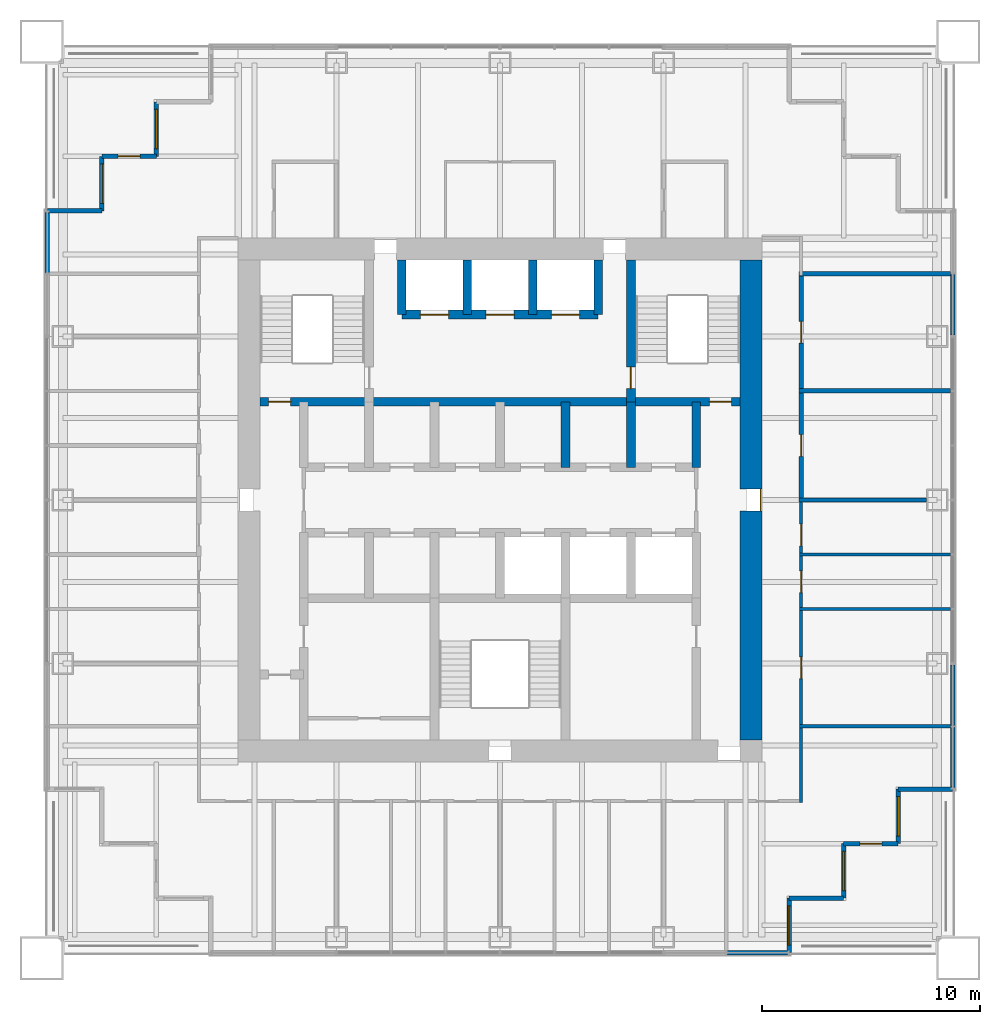
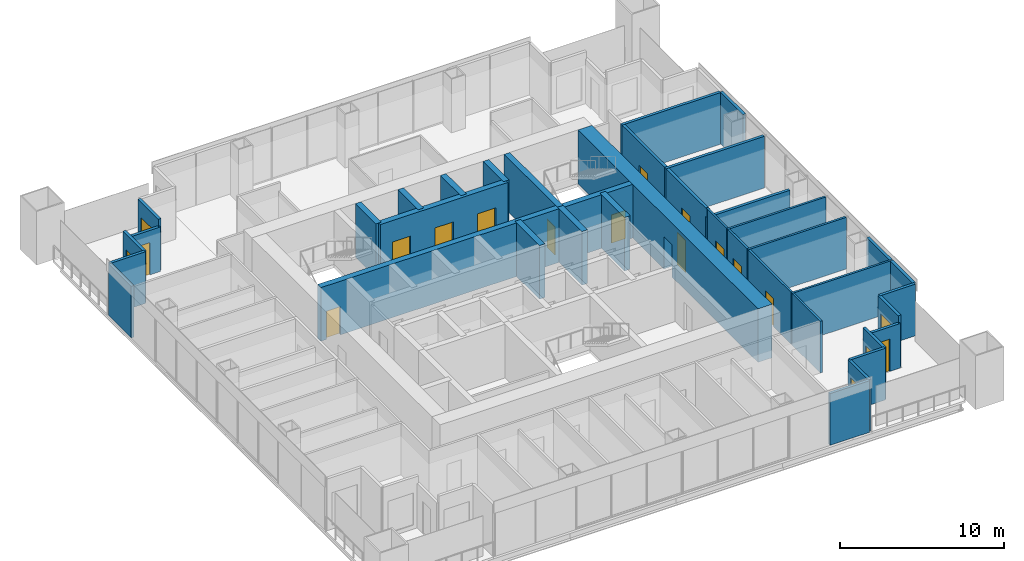
# One storey, part 11 of 14: 34 walls, 14 doors, 5 windows, 19 openings.
"""IFC4 building model written with IfcOpenShell, lengths in metres."""

from ifc_helpers import new_model, si_unit, direction, frame, frame_2d, origin, place, context, subcontext, project, spatial, rectangle, extrude, material, layer, layer_set, type_object, element, fill, save


model = new_model("IFC4")

# Units and contexts
model_context = context("Model", 3, precision=1e-05, world=origin(), true_north=direction((0.0, 1.0)))
body_context = subcontext(model_context, "Body", "Model", "MODEL_VIEW")
ifc_project = project(units=[si_unit("LENGTHUNIT", "METRE"), si_unit("AREAUNIT", "SQUARE_METRE"), si_unit("VOLUMEUNIT", "CUBIC_METRE"), si_unit("PLANEANGLEUNIT", "RADIAN"), si_unit("MASSUNIT", "GRAM", prefix="KILO")], contexts=[model_context])

# Site, building, storey
site_placement = place(None, origin())
site = spatial("IfcSite", under=ifc_project, at=site_placement, CompositionType="ELEMENT")
building_placement = place(site_placement, origin())
building = spatial("IfcBuilding", under=site, at=building_placement, Name="Tarangal Relay Tower", CompositionType="ELEMENT")
storey_placement = place(building_placement, frame((0.0, 0.0, 303.89990234375)))
storey = spatial("IfcBuildingStorey", under=building, at=storey_placement, Name="L67", CompositionType="ELEMENT", Elevation=303.89990234375)

# Walls
ifc_material_1 = material(Name="Two layers gypsum board each side on twin steel studs, mineral wool", Category="steel")
ifc_layer_1 = layer(ifc_material_1, 0.199951171875)
ifc_layer_set_1 = layer_set([ifc_layer_1], Name="Acoustic partition 200")
wall_type_1 = type_object("IfcWallType", Name="Acoustic partition 200", PredefinedType="PARTITIONING", material=ifc_layer_set_1)
wall_1_placement = place(storey_placement, frame((13.699951171875, 0.0, 0.0), z_axis=(0.0, 0.0, 1.0), x_axis=(1.0, 0.0, 0.0)))
element("IfcWall", 1, at=wall_1_placement, inside=storey, type_object=wall_type_1, Name="Partition PT2 L67", PredefinedType="PARTITIONING", context=body_context, shape_type="SweptSolid", body=[
    extrude(rectangle(XDim=5.840087890625, YDim=0.199951171875, at=frame_2d((2.919921875, 0.0))), origin(), (0.0, 0.0, 1.0), 3.2431640625),
])
for number, where, z_axis, x_axis, name in (
    (2, (13.699951171875, 5.0, 0.0), (0.0, 0.0, 1.0), (1.0, 0.0, 0.0), "Partition PT2 L67"),
    (3, (13.699951171875, 10.375, 0.0), (0.0, 0.0, 1.0), (1.0, 0.0, 0.0), "Partition PT2 L67"),
):
    element("IfcWall", number, at=place(storey_placement, frame(where, z_axis=z_axis, x_axis=x_axis)), inside=storey, type_object=wall_type_1, Name=name, PredefinedType="PARTITIONING", context=body_context, shape_type="SweptSolid", body=[
        extrude(rectangle(XDim=6.949951171875, YDim=0.199951171875, at=frame_2d((3.47509765625, 0.0))), origin(), (0.0, 0.0, 1.0), 3.85009765625),
    ])

# Wall, openings, doors
wall_2_placement = place(storey_placement, frame((13.800048828125, -0.10009765625, 0.0), z_axis=(0.0, 0.0, 1.0), x_axis=(0.0, 1.0, 0.0)))
wall_2 = element("IfcWall", 4, at=wall_2_placement, inside=storey, type_object=wall_type_1, Name="Partition PT2 L67", PredefinedType="PARTITIONING", context=body_context, shape_type="SweptSolid", body=[
    extrude(rectangle(XDim=10.5751953125, YDim=0.199951171875, at=frame_2d((5.28759765625, 0.0))), origin(), (0.0, 0.0, 1.0), 3.85009765625),
])
opening_1_placement = place(wall_2_placement, frame((7.28759765625, 0.0, 0.0)))
opening_1 = element("IfcOpeningElement", 5, at=opening_1_placement, cuts=wall_2, Name="Opening D2", PredefinedType="OPENING", context=body_context, shape_type="SweptSolid", body=[
    extrude(rectangle(XDim=1.0, YDim=2.10009765625, at=frame_2d((0.5, 1.050048828125))), frame((0.0, 0.10986328125, 0.0), z_axis=(0.0, -1.0, 0.0), x_axis=(1.0, 0.0, 0.0)), (0.0, 0.0, 1.0), 0.219970703125),
])
opening_2_placement = place(wall_2_placement, frame((2.10009765625, 0.0, 0.0)))
opening_2 = element("IfcOpeningElement", 6, at=opening_2_placement, cuts=wall_2, Name="Opening D2", PredefinedType="OPENING", context=body_context, shape_type="SweptSolid", body=[
    extrude(rectangle(XDim=1.0, YDim=2.10009765625, at=frame_2d((0.5, 1.050048828125))), frame((0.0, 0.10986328125, 0.0), z_axis=(0.0, -1.0, 0.0), x_axis=(1.0, 0.0, 0.0)), (0.0, 0.0, 1.0), 0.219970703125),
])
ifc_material_2 = material(Name="Hardwood door", Category="wood")
door_type_1 = type_object("IfcDoorType", Name="Door 1000 x 2100", OperationType="SINGLE_SWING_LEFT", PredefinedType="DOOR", material=ifc_material_2)
door_1_placement = place(opening_1_placement, origin())
door_1 = element("IfcDoor", 7, at=door_1_placement, inside=storey, type_object=door_type_1, Name="Door D2 to boardroom L67-05", OperationType="SINGLE_SWING_LEFT", OverallHeight=2.10009765625, OverallWidth=1.0, PredefinedType="DOOR", context=body_context, shape_type="SweptSolid", body=[
    extrude(rectangle(XDim=1.0, YDim=2.10009765625, at=frame_2d((0.5, 1.050048828125))), frame((0.0, 0.02490234375, 0.0), z_axis=(0.0, -1.0, 0.0), x_axis=(1.0, 0.0, 0.0)), (0.0, 0.0, 1.0), 0.050048828125),
])
fill(opening_1, door_1)
door_2_placement = place(opening_2_placement, origin())
door_2 = element("IfcDoor", 8, at=door_2_placement, inside=storey, type_object=door_type_1, Name="Door D2 to meeting room L67-06", OperationType="SINGLE_SWING_LEFT", OverallHeight=2.10009765625, OverallWidth=1.0, PredefinedType="DOOR", context=body_context, shape_type="SweptSolid", body=[
    extrude(rectangle(XDim=1.0, YDim=2.10009765625, at=frame_2d((0.5, 1.050048828125))), frame((0.0, 0.02490234375, 0.0), z_axis=(0.0, -1.0, 0.0), x_axis=(1.0, 0.0, 0.0)), (0.0, 0.0, 1.0), 0.050048828125),
])
fill(opening_2, door_2)

ifc_material_3 = material(Name="Concrete fc' 60 MPa", Category="concrete")
ifc_layer_2 = layer(ifc_material_3, 0.39990234375)
ifc_layer_set_2 = layer_set([ifc_layer_2], Name="Core inner wall 400")
wall_type_2 = type_object("IfcWallType", Name="Core inner wall 400", PredefinedType="SHEAR", material=ifc_layer_set_2)
wall_3_placement = place(storey_placement, frame((-11.0, 4.5, 0.0), z_axis=(0.0, 0.0, 1.0), x_axis=(1.0, 0.0, 0.0)))
wall_3 = element("IfcWall", 9, at=wall_3_placement, inside=storey, type_object=wall_type_2, Name="Core wall Y45 L67", PredefinedType="SHEAR", context=body_context, shape_type="SweptSolid", body=[
    extrude(rectangle(XDim=22.0, YDim=0.39990234375, at=frame_2d((11.0, 0.0))), origin(), (0.0, 0.0, 1.0), 4.0),
])
opening_3_placement = place(wall_3_placement, frame((0.39990234375, 0.0, 0.0)))
opening_3 = element("IfcOpeningElement", 10, at=opening_3_placement, cuts=wall_3, Name="Opening FD1", PredefinedType="OPENING", context=body_context, shape_type="SweptSolid", body=[
    extrude(rectangle(XDim=1.0, YDim=2.10009765625, at=frame_2d((0.5, 1.050048828125))), frame((0.0, 0.2099609375, 0.0), z_axis=(0.0, -1.0, 0.0), x_axis=(1.0, 0.0, 0.0)), (0.0, 0.0, 1.0), 0.419921875),
])
opening_4_placement = place(wall_3_placement, frame((20.60009765625, 0.0, 0.0)))
opening_4 = element("IfcOpeningElement", 11, at=opening_4_placement, cuts=wall_3, Name="Opening FD1", PredefinedType="OPENING", context=body_context, shape_type="SweptSolid", body=[
    extrude(rectangle(XDim=1.0, YDim=2.10009765625, at=frame_2d((0.5, 1.050048828125))), frame((0.0, 0.2099609375, 0.0), z_axis=(0.0, -1.0, 0.0), x_axis=(1.0, 0.0, 0.0)), (0.0, 0.0, 1.0), 0.419921875),
])
ifc_material_4 = material(Name="Steel door with hardwood frame", Category="steel")
door_type_2 = type_object("IfcDoorType", Name="Fire door 1000 x 2100", OperationType="SINGLE_SWING_LEFT", PredefinedType="DOOR", material=ifc_material_4)
door_3_placement = place(opening_3_placement, origin())
door_3 = element("IfcDoor", 12, at=door_3_placement, inside=storey, type_object=door_type_2, Name="Stair ST-A door from corridor L67", OperationType="SINGLE_SWING_LEFT", OverallHeight=2.10009765625, OverallWidth=1.0, PredefinedType="DOOR", context=body_context, shape_type="SweptSolid", body=[
    extrude(rectangle(XDim=1.0, YDim=2.10009765625, at=frame_2d((0.5, 1.050048828125))), frame((0.0, 0.02490234375, 0.0), z_axis=(0.0, -1.0, 0.0), x_axis=(1.0, 0.0, 0.0)), (0.0, 0.0, 1.0), 0.050048828125),
])
fill(opening_3, door_3)
door_4_placement = place(opening_4_placement, origin())
door_4 = element("IfcDoor", 13, at=door_4_placement, inside=storey, type_object=door_type_2, Name="Stair ST-B door from corridor L67", OperationType="SINGLE_SWING_LEFT", OverallHeight=2.10009765625, OverallWidth=1.0, PredefinedType="DOOR", context=body_context, shape_type="SweptSolid", body=[
    extrude(rectangle(XDim=1.0, YDim=2.10009765625, at=frame_2d((0.5, 1.050048828125))), frame((0.0, 0.02490234375, 0.0), z_axis=(0.0, -1.0, 0.0), x_axis=(1.0, 0.0, 0.0)), (0.0, 0.0, 1.0), 0.050048828125),
])
fill(opening_4, door_4)

wall_4_placement = place(storey_placement, frame((-4.5, 8.5, 0.0), z_axis=(0.0, 0.0, 1.0), x_axis=(1.0, 0.0, 0.0)))
wall_4 = element("IfcWall", 14, at=wall_4_placement, inside=storey, type_object=wall_type_2, Name="Core wall Y85 L67", PredefinedType="SHEAR", context=body_context, shape_type="SweptSolid", body=[
    extrude(rectangle(XDim=9.0, YDim=0.39990234375, at=frame_2d((4.5, 0.0))), origin(), (0.0, 0.0, 1.0), 4.0),
])
opening_5_placement = place(wall_4_placement, frame((0.85009765625, 0.0, 0.0)))
opening_5 = element("IfcOpeningElement", 15, at=opening_5_placement, cuts=wall_4, Name="Opening LD2", PredefinedType="OPENING", context=body_context, shape_type="SweptSolid", body=[
    extrude(rectangle(XDim=1.300048828125, YDim=2.39990234375, at=frame_2d((0.64990234375, 1.199951171875))), frame((0.0, 0.2099609375, 0.0), z_axis=(0.0, -1.0, 0.0), x_axis=(1.0, 0.0, 0.0)), (0.0, 0.0, 1.0), 0.419921875),
])
opening_6_placement = place(wall_4_placement, frame((6.85009765625, 0.0, 0.0)))
opening_6 = element("IfcOpeningElement", 16, at=opening_6_placement, cuts=wall_4, Name="Opening LD2", PredefinedType="OPENING", context=body_context, shape_type="SweptSolid", body=[
    extrude(rectangle(XDim=1.300048828125, YDim=2.39990234375, at=frame_2d((0.64990234375, 1.199951171875))), frame((0.0, 0.2099609375, 0.0), z_axis=(0.0, -1.0, 0.0), x_axis=(1.0, 0.0, 0.0)), (0.0, 0.0, 1.0), 0.419921875),
])
opening_7_placement = place(wall_4_placement, frame((3.85009765625, 0.0, 0.0)))
opening_7 = element("IfcOpeningElement", 17, at=opening_7_placement, cuts=wall_4, Name="Opening LD2", PredefinedType="OPENING", context=body_context, shape_type="SweptSolid", body=[
    extrude(rectangle(XDim=1.300048828125, YDim=2.39990234375, at=frame_2d((0.64990234375, 1.199951171875))), frame((0.0, 0.2099609375, 0.0), z_axis=(0.0, -1.0, 0.0), x_axis=(1.0, 0.0, 0.0)), (0.0, 0.0, 1.0), 0.419921875),
])
door_type_3 = type_object("IfcDoorType", Name="Lift landing door 1300 x 2400", OperationType="SLIDING_TO_LEFT", PredefinedType="DOOR", material=ifc_material_4)
door_5_placement = place(opening_5_placement, origin())
door_5 = element("IfcDoor", 18, at=door_5_placement, inside=storey, type_object=door_type_3, Name="Lift FF1 landing door L67", OperationType="SLIDING_TO_LEFT", OverallHeight=2.39990234375, OverallWidth=1.300048828125, PredefinedType="DOOR", context=body_context, shape_type="SweptSolid", body=[
    extrude(rectangle(XDim=1.300048828125, YDim=2.39990234375, at=frame_2d((0.64990234375, 1.199951171875))), frame((0.0, 0.02490234375, 0.0), z_axis=(0.0, -1.0, 0.0), x_axis=(1.0, 0.0, 0.0)), (0.0, 0.0, 1.0), 0.050048828125),
])
fill(opening_5, door_5)
door_6_placement = place(opening_6_placement, origin())
door_6 = element("IfcDoor", 19, at=door_6_placement, inside=storey, type_object=door_type_3, Name="Lift FF2 landing door L67", OperationType="SLIDING_TO_LEFT", OverallHeight=2.39990234375, OverallWidth=1.300048828125, PredefinedType="DOOR", context=body_context, shape_type="SweptSolid", body=[
    extrude(rectangle(XDim=1.300048828125, YDim=2.39990234375, at=frame_2d((0.64990234375, 1.199951171875))), frame((0.0, 0.02490234375, 0.0), z_axis=(0.0, -1.0, 0.0), x_axis=(1.0, 0.0, 0.0)), (0.0, 0.0, 1.0), 0.050048828125),
])
fill(opening_6, door_6)
door_7_placement = place(opening_7_placement, origin())
door_7 = element("IfcDoor", 20, at=door_7_placement, inside=storey, type_object=door_type_3, Name="Lift SV1 landing door L67", OperationType="SLIDING_TO_LEFT", OverallHeight=2.39990234375, OverallWidth=1.300048828125, PredefinedType="DOOR", context=body_context, shape_type="SweptSolid", body=[
    extrude(rectangle(XDim=1.300048828125, YDim=2.39990234375, at=frame_2d((0.64990234375, 1.199951171875))), frame((0.0, 0.02490234375, 0.0), z_axis=(0.0, -1.0, 0.0), x_axis=(1.0, 0.0, 0.0)), (0.0, 0.0, 1.0), 0.050048828125),
])
fill(opening_7, door_7)

# Walls
for number, where, z_axis, x_axis, name in (
    (21, (9.0, 1.5, 0.0), (0.0, 0.0, 1.0), (0.0, 1.0, 0.0), "Core wall X9N L67"),
    (22, (3.0, 1.5, 0.0), (0.0, 0.0, 1.0), (0.0, 1.0, 0.0), "Core wall X3N L67"),
    (23, (6.0, 1.5, 0.0), (0.0, 0.0, 1.0), (0.0, 1.0, 0.0), "Core wall X6N L67"),
):
    element("IfcWall", number, at=place(storey_placement, frame(where, z_axis=z_axis, x_axis=x_axis)), inside=storey, type_object=wall_type_2, Name=name, PredefinedType="SHEAR", context=body_context, shape_type="SweptSolid", body=[
        extrude(rectangle(XDim=3.0, YDim=0.39990234375, at=frame_2d((1.5, 0.0))), origin(), (0.0, 0.0, 1.0), 4.0),
    ])

# Wall, opening, door
wall_5_placement = place(storey_placement, frame((6.0, 4.5, 0.0), z_axis=(0.0, 0.0, 1.0), x_axis=(0.0, 1.0, 0.0)))
wall_5 = element("IfcWall", 24, at=wall_5_placement, inside=storey, type_object=wall_type_2, Name="Core wall X6 L67", PredefinedType="SHEAR", context=body_context, shape_type="SweptSolid", body=[
    extrude(rectangle(XDim=6.5, YDim=0.39990234375, at=frame_2d((3.25, 0.0))), origin(), (0.0, 0.0, 1.0), 4.0),
])
opening_8_placement = place(wall_5_placement, frame((0.60009765625, 0.0, 0.0)))
opening_8 = element("IfcOpeningElement", 25, at=opening_8_placement, cuts=wall_5, Name="Opening FD1", PredefinedType="OPENING", context=body_context, shape_type="SweptSolid", body=[
    extrude(rectangle(XDim=1.0, YDim=2.10009765625, at=frame_2d((0.5, 1.050048828125))), frame((0.0, 0.2099609375, 0.0), z_axis=(0.0, -1.0, 0.0), x_axis=(1.0, 0.0, 0.0)), (0.0, 0.0, 1.0), 0.419921875),
])
door_8_placement = place(opening_8_placement, origin())
door_8 = element("IfcDoor", 26, at=door_8_placement, inside=storey, type_object=door_type_2, Name="Stair ST-B door from fire-fighting lobby L67", OperationType="SINGLE_SWING_LEFT", OverallHeight=2.10009765625, OverallWidth=1.0, PredefinedType="DOOR", context=body_context, shape_type="SweptSolid", body=[
    extrude(rectangle(XDim=1.0, YDim=2.10009765625, at=frame_2d((0.5, 1.050048828125))), frame((0.0, 0.02490234375, 0.0), z_axis=(0.0, -1.0, 0.0), x_axis=(1.0, 0.0, 0.0)), (0.0, 0.0, 1.0), 0.050048828125),
])
fill(opening_8, door_8)

# Walls
for number, where, z_axis, x_axis, name in (
    (27, (-4.5, 8.5, 0.0), (0.0, 0.0, 1.0), (0.0, 1.0, 0.0), "Core wall XM45 L67"),
    (28, (4.5, 8.5, 0.0), (0.0, 0.0, 1.0), (0.0, 1.0, 0.0), "Core wall X45 L67"),
    (29, (-1.5, 8.5, 0.0), (0.0, 0.0, 1.0), (0.0, 1.0, 0.0), "Core wall XM15 L67"),
    (30, (1.5, 8.5, 0.0), (0.0, 0.0, 1.0), (0.0, 1.0, 0.0), "Core wall X15 L67"),
):
    element("IfcWall", number, at=place(storey_placement, frame(where, z_axis=z_axis, x_axis=x_axis)), inside=storey, type_object=wall_type_2, Name=name, PredefinedType="SHEAR", context=body_context, shape_type="SweptSolid", body=[
        extrude(rectangle(XDim=2.5, YDim=0.39990234375, at=frame_2d((1.25, 0.0))), origin(), (0.0, 0.0, 1.0), 4.0),
    ])

# Wall, opening, door
ifc_layer_3 = layer(ifc_material_3, 1.0)
ifc_layer_set_3 = layer_set([ifc_layer_3], Name="Core wall 1000")
wall_type_3 = type_object("IfcWallType", Name="Core wall 1000", PredefinedType="SHEAR", material=ifc_layer_set_3)
wall_6_placement = place(storey_placement, frame((11.5, 11.0, 0.0), z_axis=(0.0, 0.0, 1.0), x_axis=(0.0, -1.0, 0.0)))
wall_6 = element("IfcWall", 31, at=wall_6_placement, inside=storey, type_object=wall_type_3, Name="Core wall E L67", PredefinedType="SHEAR", context=body_context, shape_type="SweptSolid", body=[
    extrude(rectangle(XDim=22.0, YDim=1.0, at=frame_2d((11.0, 0.0))), origin(), (0.0, 0.0, 1.0), 4.0),
])
opening_9_placement = place(wall_6_placement, frame((10.5, 0.0, 0.0)))
opening_9 = element("IfcOpeningElement", 32, at=opening_9_placement, cuts=wall_6, Name="Opening FD3", PredefinedType="OPENING", context=body_context, shape_type="SweptSolid", body=[
    extrude(rectangle(XDim=1.0, YDim=2.39990234375, at=frame_2d((0.5, 1.199951171875))), frame((0.0, 0.510009765625, 0.0), z_axis=(0.0, -1.0, 0.0), x_axis=(1.0, 0.0, 0.0)), (0.0, 0.0, 1.0), 1.02001953125),
])
door_type_4 = type_object("IfcDoorType", Name="Fire door 1000 x 2400 core entry", OperationType="SINGLE_SWING_RIGHT", PredefinedType="DOOR", material=ifc_material_4)
door_9_placement = place(opening_9_placement, origin())
door_9 = element("IfcDoor", 33, at=door_9_placement, inside=storey, type_object=door_type_4, Name="Core entry door east L67", OperationType="SINGLE_SWING_RIGHT", OverallHeight=2.39990234375, OverallWidth=1.0, PredefinedType="DOOR", context=body_context, shape_type="SweptSolid", body=[
    extrude(rectangle(XDim=1.0, YDim=2.39990234375, at=frame_2d((0.5, 1.199951171875))), frame((0.0, 0.48486328125, 0.0), z_axis=(0.0, -1.0, 0.0), x_axis=(1.0, 0.0, 0.0)), (0.0, 0.0, 1.0), 0.050048828125),
])
fill(opening_9, door_9)

# Wall
ifc_material_5 = material(Name="Black metal clad insulated wall", Category="steel")
ifc_layer_4 = layer(ifc_material_5, 0.199951171875)
ifc_layer_set_4 = layer_set([ifc_layer_4], Name="Corner wall metal clad 200")
wall_type_4 = type_object("IfcWallType", Name="Corner wall metal clad 200", PredefinedType="SOLIDWALL", material=ifc_layer_set_4)
wall_7_placement = place(storey_placement, frame((20.75, -13.25, 0.0), z_axis=(0.0, 0.0, 1.0), x_axis=(-1.0, 0.0, 0.0)))
element("IfcWall", 34, at=wall_7_placement, inside=storey, type_object=wall_type_4, Name="Facade wall E facade L67", PredefinedType="SOLIDWALL", context=body_context, shape_type="SweptSolid", body=[
    extrude(rectangle(XDim=2.5, YDim=0.199951171875, at=frame_2d((1.25, 0.0))), origin(), (0.0, 0.0, 1.0), 3.85009765625),
])

# Wall, opening, window
wall_8_placement = place(storey_placement, frame((18.25, -13.25, 0.0), z_axis=(0.0, 0.0, 1.0), x_axis=(0.0, -1.0, 0.0)))
wall_8 = element("IfcWall", 35, at=wall_8_placement, inside=storey, type_object=wall_type_4, Name="Facade wall E facade L67", PredefinedType="SOLIDWALL", context=body_context, shape_type="SweptSolid", body=[
    extrude(rectangle(XDim=2.5, YDim=0.199951171875, at=frame_2d((1.25, 0.0))), origin(), (0.0, 0.0, 1.0), 3.85009765625),
])
opening_10_placement = place(wall_8_placement, frame((0.35009765625, 0.0, 0.300048828125)))
opening_10 = element("IfcOpeningElement", 36, at=opening_10_placement, cuts=wall_8, Name="Opening WN2", PredefinedType="OPENING", context=body_context, shape_type="SweptSolid", body=[
    extrude(rectangle(XDim=1.800048828125, YDim=2.39990234375, at=frame_2d((0.89990234375, 1.199951171875))), frame((0.0, 0.10986328125, 0.0), z_axis=(0.0, -1.0, 0.0), x_axis=(1.0, 0.0, 0.0)), (0.0, 0.0, 1.0), 0.219970703125),
])
ifc_material_6 = material(Name="Dark tinted double glazing in black aluminium frame", Category="aluminium")
window_type = type_object("IfcWindowType", Name="Corner window 1800 x 2400", PartitioningType="SINGLE_PANEL", PredefinedType="WINDOW", material=ifc_material_6)
window_1_placement = place(opening_10_placement, origin())
window_1 = element("IfcWindow", 37, at=window_1_placement, inside=storey, type_object=window_type, Name="Corner window WN2 E facade L67", OverallHeight=2.39990234375, OverallWidth=1.800048828125, PartitioningType="SINGLE_PANEL", PredefinedType="WINDOW", context=body_context, shape_type="SweptSolid", body=[
    extrude(rectangle(XDim=1.800048828125, YDim=2.39990234375, at=frame_2d((0.89990234375, 1.199951171875))), frame((0.0, 0.030029296875, 0.0), z_axis=(0.0, -1.0, 0.0), x_axis=(1.0, 0.0, 0.0)), (0.0, 0.0, 1.0), 0.06005859375),
])
fill(opening_10, window_1)

# Wall, opening, door
wall_9_placement = place(storey_placement, frame((18.25, -15.75, 0.0), z_axis=(0.0, 0.0, 1.0), x_axis=(-1.0, 0.0, 0.0)))
wall_9 = element("IfcWall", 38, at=wall_9_placement, inside=storey, type_object=wall_type_4, Name="Facade wall E facade L67", PredefinedType="SOLIDWALL", context=body_context, shape_type="SweptSolid", body=[
    extrude(rectangle(XDim=2.5, YDim=0.199951171875, at=frame_2d((1.25, 0.0))), origin(), (0.0, 0.0, 1.0), 3.316650390625),
])
opening_11_placement = place(wall_9_placement, frame((0.75, 0.0, 0.0)))
opening_11 = element("IfcOpeningElement", 39, at=opening_11_placement, cuts=wall_9, Name="Opening TD1", PredefinedType="OPENING", context=body_context, shape_type="SweptSolid", body=[
    extrude(rectangle(XDim=1.0, YDim=2.39990234375, at=frame_2d((0.5, 1.199951171875))), frame((0.0, 0.10986328125, 0.0), z_axis=(0.0, -1.0, 0.0), x_axis=(1.0, 0.0, 0.0)), (0.0, 0.0, 1.0), 0.219970703125),
])
ifc_material_7 = material(Name="Aluminium glazed door", Category="aluminium")
door_type_5 = type_object("IfcDoorType", Name="Terrace door 1000 x 2400", OperationType="SINGLE_SWING_RIGHT", PredefinedType="DOOR", material=ifc_material_7)
door_10_placement = place(opening_11_placement, origin())
door_10 = element("IfcDoor", 40, at=door_10_placement, inside=storey, type_object=door_type_5, Name="Terrace door TD1 SE L67", OperationType="SINGLE_SWING_RIGHT", OverallHeight=2.39990234375, OverallWidth=1.0, PredefinedType="DOOR", context=body_context, shape_type="SweptSolid", body=[
    extrude(rectangle(XDim=1.0, YDim=2.39990234375, at=frame_2d((0.5, 1.199951171875))), frame((0.0, 0.02490234375, 0.0), z_axis=(0.0, -1.0, 0.0), x_axis=(1.0, 0.0, 0.0)), (0.0, 0.0, 1.0), 0.050048828125),
])
fill(opening_11, door_10)

# Wall, opening, window
wall_10_placement = place(storey_placement, frame((15.75, -15.75, 0.0), z_axis=(0.0, 0.0, 1.0), x_axis=(0.0, -1.0, 0.0)))
wall_10 = element("IfcWall", 41, at=wall_10_placement, inside=storey, type_object=wall_type_4, Name="Facade wall E facade L67", PredefinedType="SOLIDWALL", context=body_context, shape_type="SweptSolid", body=[
    extrude(rectangle(XDim=2.5, YDim=0.199951171875, at=frame_2d((1.25, 0.0))), origin(), (0.0, 0.0, 1.0), 3.85009765625),
])
opening_12_placement = place(wall_10_placement, frame((0.35009765625, 0.0, 0.300048828125)))
opening_12 = element("IfcOpeningElement", 42, at=opening_12_placement, cuts=wall_10, Name="Opening WN2", PredefinedType="OPENING", context=body_context, shape_type="SweptSolid", body=[
    extrude(rectangle(XDim=1.800048828125, YDim=2.39990234375, at=frame_2d((0.89990234375, 1.199951171875))), frame((0.0, 0.10986328125, 0.0), z_axis=(0.0, -1.0, 0.0), x_axis=(1.0, 0.0, 0.0)), (0.0, 0.0, 1.0), 0.219970703125),
])
window_2_placement = place(opening_12_placement, origin())
window_2 = element("IfcWindow", 43, at=window_2_placement, inside=storey, type_object=window_type, Name="Corner window WN2 E facade L67", OverallHeight=2.39990234375, OverallWidth=1.800048828125, PartitioningType="SINGLE_PANEL", PredefinedType="WINDOW", context=body_context, shape_type="SweptSolid", body=[
    extrude(rectangle(XDim=1.800048828125, YDim=2.39990234375, at=frame_2d((0.89990234375, 1.199951171875))), frame((0.0, 0.030029296875, 0.0), z_axis=(0.0, -1.0, 0.0), x_axis=(1.0, 0.0, 0.0)), (0.0, 0.0, 1.0), 0.06005859375),
])
fill(opening_12, window_2)

# Wall
wall_11_placement = place(storey_placement, frame((15.75, -18.25, 0.0), z_axis=(0.0, 0.0, 1.0), x_axis=(-1.0, 0.0, 0.0)))
element("IfcWall", 44, at=wall_11_placement, inside=storey, type_object=wall_type_4, Name="Facade wall E facade L67", PredefinedType="SOLIDWALL", context=body_context, shape_type="SweptSolid", body=[
    extrude(rectangle(XDim=2.5, YDim=0.199951171875, at=frame_2d((1.25, 0.0))), origin(), (0.0, 0.0, 1.0), 3.85009765625),
])

# Wall, opening, window
wall_12_placement = place(storey_placement, frame((13.25, -18.25, 0.0), z_axis=(0.0, 0.0, 1.0), x_axis=(0.0, -1.0, 0.0)))
wall_12 = element("IfcWall", 45, at=wall_12_placement, inside=storey, type_object=wall_type_4, Name="Facade wall E facade L67", PredefinedType="SOLIDWALL", context=body_context, shape_type="SweptSolid", body=[
    extrude(rectangle(XDim=2.5, YDim=0.199951171875, at=frame_2d((1.25, 0.0))), origin(), (0.0, 0.0, 1.0), 3.85009765625),
])
opening_13_placement = place(wall_12_placement, frame((0.35009765625, 0.0, 0.300048828125)))
opening_13 = element("IfcOpeningElement", 46, at=opening_13_placement, cuts=wall_12, Name="Opening WN2", PredefinedType="OPENING", context=body_context, shape_type="SweptSolid", body=[
    extrude(rectangle(XDim=1.800048828125, YDim=2.39990234375, at=frame_2d((0.89990234375, 1.199951171875))), frame((0.0, 0.10986328125, 0.0), z_axis=(0.0, -1.0, 0.0), x_axis=(1.0, 0.0, 0.0)), (0.0, 0.0, 1.0), 0.219970703125),
])
window_3_placement = place(opening_13_placement, origin())
window_3 = element("IfcWindow", 47, at=window_3_placement, inside=storey, type_object=window_type, Name="Corner window WN2 E facade L67", OverallHeight=2.39990234375, OverallWidth=1.800048828125, PartitioningType="SINGLE_PANEL", PredefinedType="WINDOW", context=body_context, shape_type="SweptSolid", body=[
    extrude(rectangle(XDim=1.800048828125, YDim=2.39990234375, at=frame_2d((0.89990234375, 1.199951171875))), frame((0.0, 0.030029296875, 0.0), z_axis=(0.0, -1.0, 0.0), x_axis=(1.0, 0.0, 0.0)), (0.0, 0.0, 1.0), 0.06005859375),
])
fill(opening_13, window_3)

# Wall
wall_13_placement = place(storey_placement, frame((-20.75, 13.25, 0.0), z_axis=(0.0, 0.0, 1.0), x_axis=(1.0, 0.0, 0.0)))
element("IfcWall", 48, at=wall_13_placement, inside=storey, type_object=wall_type_4, Name="Facade wall W facade L67", PredefinedType="SOLIDWALL", context=body_context, shape_type="SweptSolid", body=[
    extrude(rectangle(XDim=2.5, YDim=0.199951171875, at=frame_2d((1.25, 0.0))), origin(), (0.0, 0.0, 1.0), 3.85009765625),
])

# Wall, opening, window
wall_14_placement = place(storey_placement, frame((-18.25, 13.25, 0.0), z_axis=(0.0, 0.0, 1.0), x_axis=(0.0, 1.0, 0.0)))
wall_14 = element("IfcWall", 49, at=wall_14_placement, inside=storey, type_object=wall_type_4, Name="Facade wall W facade L67", PredefinedType="SOLIDWALL", context=body_context, shape_type="SweptSolid", body=[
    extrude(rectangle(XDim=2.5, YDim=0.199951171875, at=frame_2d((1.25, 0.0))), origin(), (0.0, 0.0, 1.0), 3.85009765625),
])
opening_14_placement = place(wall_14_placement, frame((0.35009765625, 0.0, 0.300048828125)))
opening_14 = element("IfcOpeningElement", 50, at=opening_14_placement, cuts=wall_14, Name="Opening WN2", PredefinedType="OPENING", context=body_context, shape_type="SweptSolid", body=[
    extrude(rectangle(XDim=1.800048828125, YDim=2.39990234375, at=frame_2d((0.89990234375, 1.199951171875))), frame((0.0, 0.10986328125, 0.0), z_axis=(0.0, -1.0, 0.0), x_axis=(1.0, 0.0, 0.0)), (0.0, 0.0, 1.0), 0.219970703125),
])
window_4_placement = place(opening_14_placement, origin())
window_4 = element("IfcWindow", 51, at=window_4_placement, inside=storey, type_object=window_type, Name="Corner window WN2 W facade L67", OverallHeight=2.39990234375, OverallWidth=1.800048828125, PartitioningType="SINGLE_PANEL", PredefinedType="WINDOW", context=body_context, shape_type="SweptSolid", body=[
    extrude(rectangle(XDim=1.800048828125, YDim=2.39990234375, at=frame_2d((0.89990234375, 1.199951171875))), frame((0.0, 0.030029296875, 0.0), z_axis=(0.0, -1.0, 0.0), x_axis=(1.0, 0.0, 0.0)), (0.0, 0.0, 1.0), 0.06005859375),
])
fill(opening_14, window_4)

# Wall, opening, door
wall_15_placement = place(storey_placement, frame((-18.25, 15.75, 0.0), z_axis=(0.0, 0.0, 1.0), x_axis=(1.0, 0.0, 0.0)))
wall_15 = element("IfcWall", 52, at=wall_15_placement, inside=storey, type_object=wall_type_4, Name="Facade wall W facade L67", PredefinedType="SOLIDWALL", context=body_context, shape_type="SweptSolid", body=[
    extrude(rectangle(XDim=2.5, YDim=0.199951171875, at=frame_2d((1.25, 0.0))), origin(), (0.0, 0.0, 1.0), 3.316650390625),
])
opening_15_placement = place(wall_15_placement, frame((0.75, 0.0, 0.0)))
opening_15 = element("IfcOpeningElement", 53, at=opening_15_placement, cuts=wall_15, Name="Opening TD1", PredefinedType="OPENING", context=body_context, shape_type="SweptSolid", body=[
    extrude(rectangle(XDim=1.0, YDim=2.39990234375, at=frame_2d((0.5, 1.199951171875))), frame((0.0, 0.10986328125, 0.0), z_axis=(0.0, -1.0, 0.0), x_axis=(1.0, 0.0, 0.0)), (0.0, 0.0, 1.0), 0.219970703125),
])
door_11_placement = place(opening_15_placement, origin())
door_11 = element("IfcDoor", 54, at=door_11_placement, inside=storey, type_object=door_type_5, Name="Terrace door TD1 NW L67", OperationType="SINGLE_SWING_RIGHT", OverallHeight=2.39990234375, OverallWidth=1.0, PredefinedType="DOOR", context=body_context, shape_type="SweptSolid", body=[
    extrude(rectangle(XDim=1.0, YDim=2.39990234375, at=frame_2d((0.5, 1.199951171875))), frame((0.0, 0.02490234375, 0.0), z_axis=(0.0, -1.0, 0.0), x_axis=(1.0, 0.0, 0.0)), (0.0, 0.0, 1.0), 0.050048828125),
])
fill(opening_15, door_11)

# Wall, opening, window
wall_16_placement = place(storey_placement, frame((-15.75, 15.75, 0.0), z_axis=(0.0, 0.0, 1.0), x_axis=(0.0, 1.0, 0.0)))
wall_16 = element("IfcWall", 55, at=wall_16_placement, inside=storey, type_object=wall_type_4, Name="Facade wall W facade L67", PredefinedType="SOLIDWALL", context=body_context, shape_type="SweptSolid", body=[
    extrude(rectangle(XDim=2.5, YDim=0.199951171875, at=frame_2d((1.25, 0.0))), origin(), (0.0, 0.0, 1.0), 3.85009765625),
])
opening_16_placement = place(wall_16_placement, frame((0.35009765625, 0.0, 0.300048828125)))
opening_16 = element("IfcOpeningElement", 56, at=opening_16_placement, cuts=wall_16, Name="Opening WN2", PredefinedType="OPENING", context=body_context, shape_type="SweptSolid", body=[
    extrude(rectangle(XDim=1.800048828125, YDim=2.39990234375, at=frame_2d((0.89990234375, 1.199951171875))), frame((0.0, 0.10986328125, 0.0), z_axis=(0.0, -1.0, 0.0), x_axis=(1.0, 0.0, 0.0)), (0.0, 0.0, 1.0), 0.219970703125),
])
window_5_placement = place(opening_16_placement, origin())
window_5 = element("IfcWindow", 57, at=window_5_placement, inside=storey, type_object=window_type, Name="Corner window WN2 W facade L67", OverallHeight=2.39990234375, OverallWidth=1.800048828125, PartitioningType="SINGLE_PANEL", PredefinedType="WINDOW", context=body_context, shape_type="SweptSolid", body=[
    extrude(rectangle(XDim=1.800048828125, YDim=2.39990234375, at=frame_2d((0.89990234375, 1.199951171875))), frame((0.0, 0.030029296875, 0.0), z_axis=(0.0, -1.0, 0.0), x_axis=(1.0, 0.0, 0.0)), (0.0, 0.0, 1.0), 0.06005859375),
])
fill(opening_16, window_5)

# Walls
ifc_layer_5 = layer(ifc_material_5, 0.199951171875)
ifc_layer_set_5 = layer_set([ifc_layer_5], Name="Facade infill wall metal clad 200")
wall_type_5 = type_object("IfcWallType", Name="Facade infill wall metal clad 200", PredefinedType="SOLIDWALL", material=ifc_layer_set_5)
for number, where, z_axis, x_axis, name in (
    (58, (20.75, 10.344970703125, 0.0), (0.0, 0.0, 1.0), (0.0, -1.0, 0.0), "Facade infill wall E facade L67 2.1"),
    (59, (20.75, -7.56005859375, 0.0), (0.0, 0.0, 1.0), (0.0, -1.0, 0.0), "Facade infill wall E facade L67 1.1"),
    (60, (20.75, -10.405029296875, 0.0), (0.0, 0.0, 1.0), (0.0, -1.0, 0.0), "Facade infill wall E facade L67 2.1"),
    (61, (13.18994140625, -20.75, 0.0), (0.0, 0.0, 1.0), (-1.0, 0.0, 0.0), "Facade infill wall S facade L67 1.1"),
    (62, (-20.75, 10.405029296875, 0.0), (0.0, 0.0, 1.0), (0.0, 1.0, 0.0), "Facade infill wall W facade L67 2.1"),
):
    element("IfcWall", number, at=place(storey_placement, frame(where, z_axis=z_axis, x_axis=x_axis)), inside=storey, type_object=wall_type_5, Name=name, PredefinedType="SOLIDWALL", context=body_context, shape_type="SweptSolid", body=[
        extrude(rectangle(XDim=2.784912109375, YDim=0.199951171875, at=frame_2d((1.392578125, 0.0))), origin(), (0.0, 0.0, 1.0), 3.85009765625),
    ])
ifc_material_8 = material(Name="Gypsum board on steel studs", Category="steel")
ifc_layer_6 = layer(ifc_material_8, 0.14990234375)
ifc_layer_set_6 = layer_set([ifc_layer_6], Name="Partition 150")
wall_type_6 = type_object("IfcWallType", Name="Partition 150", PredefinedType="PARTITIONING", material=ifc_layer_set_6)
for number, where, z_axis, x_axis, name in (
    (63, (13.72509765625, -10.375, 0.0), (0.0, 0.0, 1.0), (1.0, 0.0, 0.0), "Partition PT1 L67"),
    (64, (13.72509765625, -5.0, 0.0), (0.0, 0.0, 1.0), (1.0, 0.0, 0.0), "Partition PT1 L67"),
    (65, (13.72509765625, -2.5, 0.0), (0.0, 0.0, 1.0), (1.0, 0.0, 0.0), "Partition PT1 L67"),
):
    element("IfcWall", number, at=place(storey_placement, frame(where, z_axis=z_axis, x_axis=x_axis)), inside=storey, type_object=wall_type_6, Name=name, PredefinedType="PARTITIONING", context=body_context, shape_type="SweptSolid", body=[
        extrude(rectangle(XDim=6.9248046875, YDim=0.14990234375, at=frame_2d((3.46240234375, 0.0))), origin(), (0.0, 0.0, 1.0), 3.85009765625),
    ])

# Wall, openings, doors
wall_17_placement = place(storey_placement, frame((13.800048828125, -13.875, 0.0), z_axis=(0.0, 0.0, 1.0), x_axis=(0.0, 1.0, 0.0)))
wall_17 = element("IfcWall", 66, at=wall_17_placement, inside=storey, type_object=wall_type_6, Name="Partition PT1 L67", PredefinedType="PARTITIONING", context=body_context, shape_type="SweptSolid", body=[
    extrude(rectangle(XDim=13.949951171875, YDim=0.14990234375, at=frame_2d((6.97509765625, 0.0))), origin(), (0.0, 0.0, 1.0), 3.85009765625),
])
opening_17_placement = place(wall_17_placement, frame((11.77490234375, 0.0, 0.0)))
opening_17 = element("IfcOpeningElement", 67, at=opening_17_placement, cuts=wall_17, Name="Opening D2", PredefinedType="OPENING", context=body_context, shape_type="SweptSolid", body=[
    extrude(rectangle(XDim=1.0, YDim=2.10009765625, at=frame_2d((0.5, 1.050048828125))), frame((0.0, 0.0849609375, 0.0), z_axis=(0.0, -1.0, 0.0), x_axis=(1.0, 0.0, 0.0)), (0.0, 0.0, 1.0), 0.169921875),
])
opening_18_placement = place(wall_17_placement, frame((9.625, 0.0, 0.0)))
opening_18 = element("IfcOpeningElement", 68, at=opening_18_placement, cuts=wall_17, Name="Opening D2", PredefinedType="OPENING", context=body_context, shape_type="SweptSolid", body=[
    extrude(rectangle(XDim=1.0, YDim=2.10009765625, at=frame_2d((0.5, 1.050048828125))), frame((0.0, 0.0849609375, 0.0), z_axis=(0.0, -1.0, 0.0), x_axis=(1.0, 0.0, 0.0)), (0.0, 0.0, 1.0), 0.169921875),
])
opening_19_placement = place(wall_17_placement, frame((5.6875, 0.0, 0.0)))
opening_19 = element("IfcOpeningElement", 69, at=opening_19_placement, cuts=wall_17, Name="Opening D2", PredefinedType="OPENING", context=body_context, shape_type="SweptSolid", body=[
    extrude(rectangle(XDim=1.0, YDim=2.10009765625, at=frame_2d((0.5, 1.050048828125))), frame((0.0, 0.0849609375, 0.0), z_axis=(0.0, -1.0, 0.0), x_axis=(1.0, 0.0, 0.0)), (0.0, 0.0, 1.0), 0.169921875),
])
door_12_placement = place(opening_17_placement, origin())
door_12 = element("IfcDoor", 70, at=door_12_placement, inside=storey, type_object=door_type_1, Name="Door D2 to tea pantry L67-07", OperationType="SINGLE_SWING_LEFT", OverallHeight=2.10009765625, OverallWidth=1.0, PredefinedType="DOOR", context=body_context, shape_type="SweptSolid", body=[
    extrude(rectangle(XDim=1.0, YDim=2.10009765625, at=frame_2d((0.5, 1.050048828125))), frame((0.0, 0.02490234375, 0.0), z_axis=(0.0, -1.0, 0.0), x_axis=(1.0, 0.0, 0.0)), (0.0, 0.0, 1.0), 0.050048828125),
])
fill(opening_17, door_12)
door_13_placement = place(opening_18_placement, origin())
door_13 = element("IfcDoor", 71, at=door_13_placement, inside=storey, type_object=door_type_1, Name="Door D2 to cellular office L67-08", OperationType="SINGLE_SWING_LEFT", OverallHeight=2.10009765625, OverallWidth=1.0, PredefinedType="DOOR", context=body_context, shape_type="SweptSolid", body=[
    extrude(rectangle(XDim=1.0, YDim=2.10009765625, at=frame_2d((0.5, 1.050048828125))), frame((0.0, 0.02490234375, 0.0), z_axis=(0.0, -1.0, 0.0), x_axis=(1.0, 0.0, 0.0)), (0.0, 0.0, 1.0), 0.050048828125),
])
fill(opening_18, door_13)
door_14_placement = place(opening_19_placement, origin())
door_14 = element("IfcDoor", 72, at=door_14_placement, inside=storey, type_object=door_type_1, Name="Door D2 to executive office L67-09", OperationType="SINGLE_SWING_LEFT", OverallHeight=2.10009765625, OverallWidth=1.0, PredefinedType="DOOR", context=body_context, shape_type="SweptSolid", body=[
    extrude(rectangle(XDim=1.0, YDim=2.10009765625, at=frame_2d((0.5, 1.050048828125))), frame((0.0, 0.02490234375, 0.0), z_axis=(0.0, -1.0, 0.0), x_axis=(1.0, 0.0, 0.0)), (0.0, 0.0, 1.0), 0.050048828125),
])
fill(opening_19, door_14)

save(model, "model.ifc")
